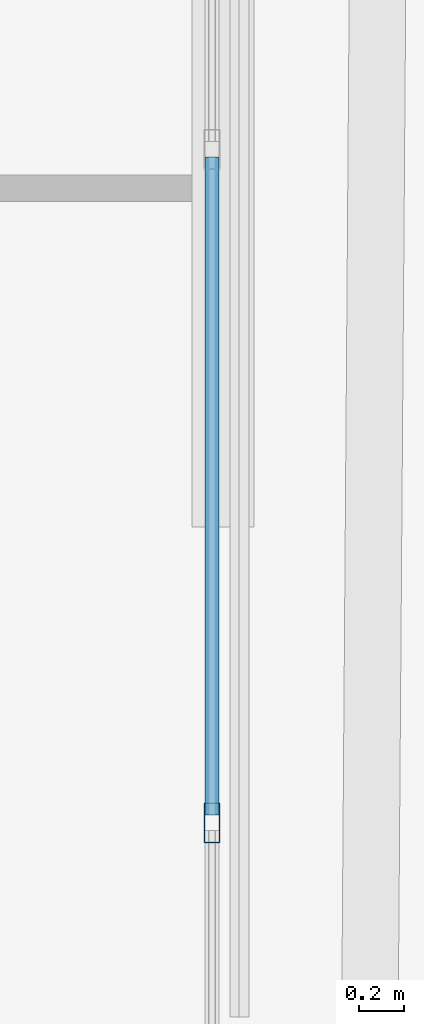
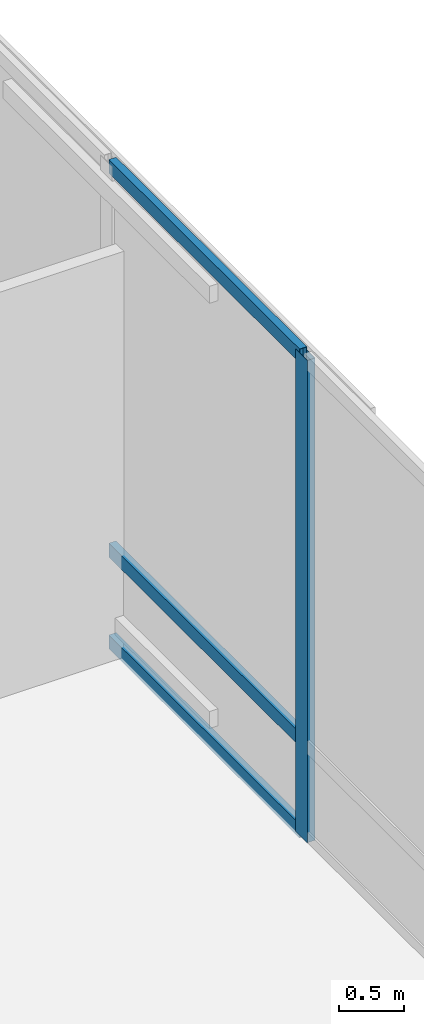
# One storey, part 28 of 48: 4 members, 1 element without a shape of its own.
"""IFC4 building model written with IfcOpenShell, lengths in metres."""

from ifc_helpers import new_model, si_unit, direction, frame, origin, origin_2d, place, context, subcontext, project, spatial, hollow_rectangle, extrude, material, layer, layer_set, material_profile, profile_set, type_object, element, aggregate, save


model = new_model("IFC4")

# Units and contexts
model_context = context("Model", 3, precision=1e-05, world=origin(), true_north=direction((0.0, 1.0)))
body_context = subcontext(model_context, "Body", "Model", "MODEL_VIEW")
ifc_project = project(units=[si_unit("LENGTHUNIT", "METRE"), si_unit("AREAUNIT", "SQUARE_METRE"), si_unit("VOLUMEUNIT", "CUBIC_METRE"), si_unit("PLANEANGLEUNIT", "RADIAN"), si_unit("MASSUNIT", "GRAM", prefix="KILO")], contexts=[model_context])

# Site, building, storey
site_placement = place(None, origin())
site = spatial("IfcSite", under=ifc_project, at=site_placement, CompositionType="ELEMENT")
building_placement = place(site_placement, origin())
building = spatial("IfcBuilding", under=site, at=building_placement, Name="Caelvoria Tower", CompositionType="ELEMENT")
storey_placement = place(building_placement, frame((0.0, 0.0, 90.39990234375)))
storey = spatial("IfcBuildingStorey", under=building, at=storey_placement, Name="L23", CompositionType="ELEMENT", Elevation=90.39990234375)

# Curtain wall, members
ifc_material_1 = material(Name="Anodised Bronze Aluminium and Low-E Glass", Category="aluminium")
ifc_layer = layer(ifc_material_1, 0.2099609375, Name="Anodised Bronze Aluminium and Low-E Glass")
ifc_layer_set = layer_set([ifc_layer], Name="CW System 3 Sky Lobby Double-Height Acoustic Facade - Anodised Bronze Aluminium and Low-E Glass")
curtain_wall_type = type_object("IfcCurtainWallType", Name="CW System 3 Sky Lobby Double-Height Acoustic Facade", PredefinedType="NOTDEFINED", material=ifc_layer_set)
curtain_wall_placement = place(storey_placement, origin())
curtain_wall = element("IfcCurtainWall", 1, at=curtain_wall_placement, inside=storey, type_object=curtain_wall_type, Name="CW-03 Curtain Wall L23-E2", PredefinedType="NOTDEFINED")
ifc_material_2 = material(Name="Anodised Bronze Architectural Aluminium", Category="aluminium")
ifc_material_profile_1 = material_profile(ifc_material_2, hollow_rectangle(XDim=0.070068359375, YDim=0.179931640625, WallThickness=0.00390625, at=origin_2d()), Name="Anodised Bronze Architectural Aluminium")
ifc_profile_set_1 = profile_set([ifc_material_profile_1], Name="CW_MULL_70X180 - Anodised Bronze Architectural Aluminium")
member_type_1 = type_object("IfcMemberType", Name="Curtain Wall Mullion 70x180 Bronze Aluminium", PredefinedType="MULLION", material=ifc_profile_set_1)
member_1_placement = place(storey_placement, frame((69.73681640625, 39.560546875, 0.0), z_axis=(0.0, 0.0, 1.0), x_axis=(-1.0, 0.0, 0.0)))
member_1 = element("IfcMember", 2, at=member_1_placement, type_object=member_type_1, Name="CW-03 mullion 9", PredefinedType="MULLION", context=body_context, shape_type="SweptSolid", body=[
    extrude(hollow_rectangle(XDim=0.070068359375, YDim=0.179931640625, WallThickness=0.00390625, at=origin_2d()), origin(), (0.0, 0.0, 1.0), 4.56005859375),
])
ifc_material_profile_2 = material_profile(ifc_material_2, hollow_rectangle(XDim=0.06494140625, YDim=0.1298828125, WallThickness=0.00341796875, at=origin_2d()), Name="Anodised Bronze Architectural Aluminium")
ifc_profile_set_2 = profile_set([ifc_material_profile_2], Name="CW_TRAN_65X130 - Anodised Bronze Architectural Aluminium")
member_type_2 = type_object("IfcMemberType", Name="Curtain Wall Transom 65x130 Bronze Aluminium", PredefinedType="USERDEFINED", material=ifc_profile_set_2)
member_2_placement = place(storey_placement, frame((69.73681640625, 39.595703125, 0.03271484375), z_axis=(0.0, 1.0, 0.0), x_axis=(-1.0, 0.0, 0.0)))
member_2 = element("IfcMember", 3, at=member_2_placement, type_object=member_type_2, Name="CW-03 transom 9.1", ObjectType="TRANSOM", PredefinedType="USERDEFINED", context=body_context, shape_type="SweptSolid", body=[
    extrude(hollow_rectangle(XDim=0.06494140625, YDim=0.1298828125, WallThickness=0.00341796875, at=origin_2d()), origin(), (0.0, 0.0, 1.0), 2.9541015625),
])
member_3_placement = place(storey_placement, frame((69.73681640625, 39.595703125, 0.900146484375), z_axis=(0.0, 1.0, 0.0), x_axis=(-1.0, 0.0, 0.0)))
member_3 = element("IfcMember", 4, at=member_3_placement, type_object=member_type_2, Name="CW-03 transom 9.2", ObjectType="TRANSOM", PredefinedType="USERDEFINED", context=body_context, shape_type="SweptSolid", body=[
    extrude(hollow_rectangle(XDim=0.06494140625, YDim=0.1298828125, WallThickness=0.00341796875, at=origin_2d()), origin(), (0.0, 0.0, 1.0), 2.9541015625),
])
member_4_placement = place(storey_placement, frame((69.73681640625, 39.595703125, 4.527587890625), z_axis=(0.0, 1.0, 0.0), x_axis=(-1.0, 0.0, 0.0)))
member_4 = element("IfcMember", 5, at=member_4_placement, type_object=member_type_2, Name="CW-03 transom 9.3", ObjectType="TRANSOM", PredefinedType="USERDEFINED", context=body_context, shape_type="SweptSolid", body=[
    extrude(hollow_rectangle(XDim=0.06494140625, YDim=0.1298828125, WallThickness=0.00341796875, at=origin_2d()), origin(), (0.0, 0.0, 1.0), 2.9541015625),
])
aggregate(curtain_wall, [member_1, member_2, member_3, member_4])

save(model, "model.ifc")
